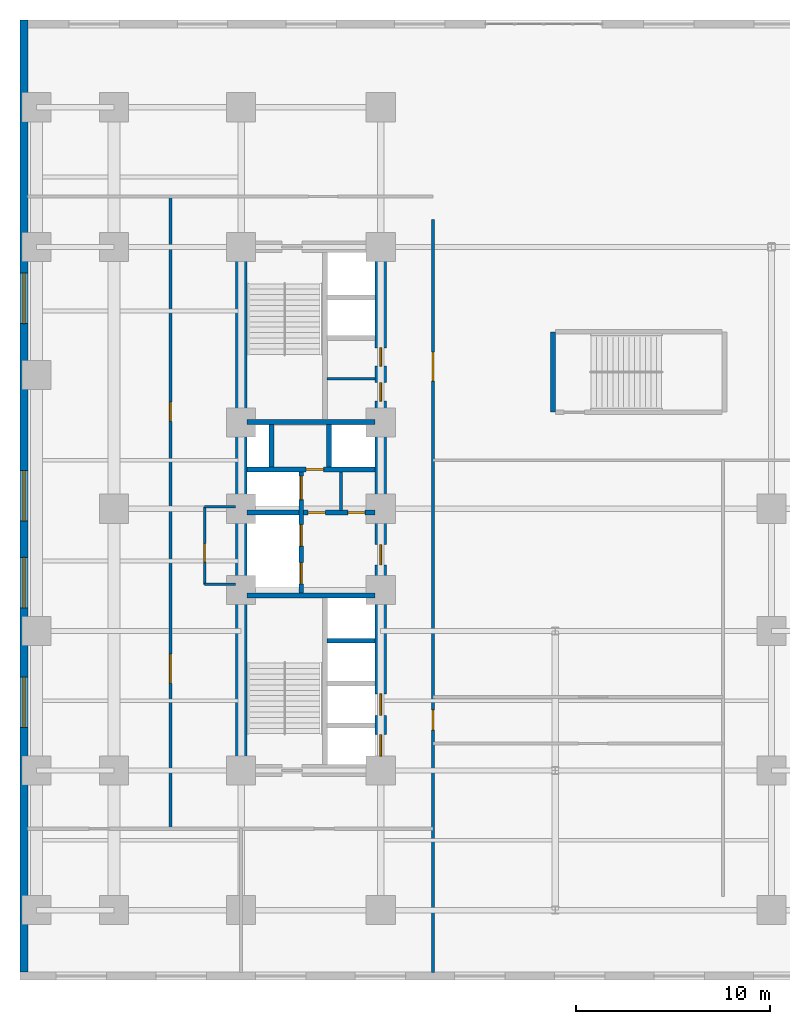
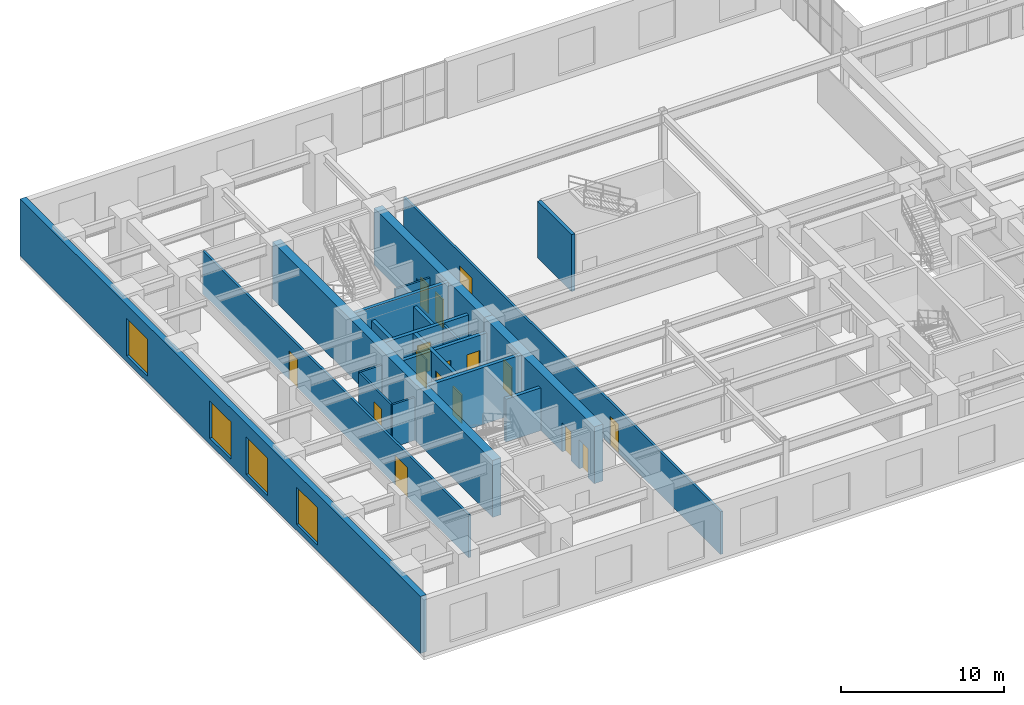
# One storey, part 9 of 15: 20 walls, 16 doors, 4 windows, 20 openings.
"""IFC4 building model written with IfcOpenShell, lengths in metres."""

from ifc_helpers import new_model, entity, si_unit, converted_unit, direction, frame, origin_with_axes, origin_2d_with_axis, place, context, subcontext, project, spatial, polyline, rectangle, outline, extrude, material, layer, layer_set, type_object, element, fill, save


model = new_model("IFC4")

# Units and contexts
model_context = context("Model", 3, precision=1e-05, world=origin_with_axes(), true_north=direction((0.0, 1.0)))
body_context = subcontext(model_context, "Body", "Model", "MODEL_VIEW")
ifc_project = project(units=[si_unit("LENGTHUNIT", "METRE"), si_unit("AREAUNIT", "SQUARE_METRE"), si_unit("VOLUMEUNIT", "CUBIC_METRE"), converted_unit("PLANEANGLEUNIT", "DEGREE", entity("IfcPlaneAngleMeasure", 0.017453292519943295), si_unit("PLANEANGLEUNIT", "RADIAN"), dimensions=[0, 0, 0, 0, 0, 0, 0]), si_unit("MASSUNIT", "GRAM", prefix="KILO"), si_unit("THERMODYNAMICTEMPERATUREUNIT", "KELVIN")], contexts=[model_context])

# Site, building, storey
site_placement = place(None, origin_with_axes())
site = spatial("IfcSite", under=ifc_project, at=site_placement, CompositionType="ELEMENT")
building_placement = place(site_placement, origin_with_axes())
building = spatial("IfcBuilding", under=site, at=building_placement, Name="Varnlund Millrace Tower", CompositionType="ELEMENT")
storey_placement = place(building_placement, frame((0.0, 0.0, 10.8), z_axis=(0.0, 0.0, 1.0), x_axis=(1.0, 0.0, 0.0)))
storey = spatial("IfcBuildingStorey", under=building, at=storey_placement, Name="L02", CompositionType="ELEMENT", Elevation=10.8)

# Wall
ifc_material_1 = material(Name="Concrete C80/95", Category="concrete")
ifc_layer_1 = layer(ifc_material_1, 0.6, Name="Concrete C80/95")
ifc_layer_set_1 = layer_set([ifc_layer_1], Name="Concrete C80/95")
wall_type_1 = type_object("IfcWallType", Name="Type-CoreWall-Shear-600-C80", PredefinedType="SHEAR", material=ifc_layer_set_1)
wall_1_placement = place(storey_placement, frame((11.4, 10.8, 0.0), z_axis=(0.0, 0.0, 1.0), x_axis=(0.0, 1.0, 0.0)))
element("IfcWall", 1, at=wall_1_placement, inside=storey, type_object=wall_type_1, Name="Type-CoreWall-Shear-600-C80", PredefinedType="SHEAR", context=body_context, shape_type="SweptSolid", body=[
    extrude(outline(polyline([(0.0, -0.3), (27.0, -0.3), (27.0, 0.3), (0.0, 0.3), (0.0, -0.3)])), origin_with_axes(), (0.0, 0.0, 1.0), 4.26),
])

# Wall, openings, doors
wall_2_placement = place(storey_placement, frame((18.6, 10.8, 0.0), z_axis=(0.0, 0.0, 1.0), x_axis=(0.0, 1.0, 0.0)))
wall_2 = element("IfcWall", 2, at=wall_2_placement, inside=storey, type_object=wall_type_1, Name="Type-CoreWall-Shear-600-C80", PredefinedType="SHEAR", context=body_context, shape_type="SweptSolid", body=[
    extrude(outline(polyline([(0.0, -0.3), (13.5, -0.3), (13.5, 0.3), (0.0, 0.3), (0.0, -0.3)])), origin_with_axes(), (0.0, 0.0, 1.0), 4.26),
])
opening_1_placement = place(wall_2_placement, frame((1.3, 0.0, 0.0), z_axis=(0.0, 0.0, 1.0), x_axis=(1.0, 0.0, 0.0)))
opening_1 = element("IfcOpeningElement", 3, at=opening_1_placement, cuts=wall_2, Name="Opening L02:LD-ELV-L1", PredefinedType="OPENING", context=body_context, shape_type="SweptSolid", body=[
    extrude(rectangle(XDim=1.1, YDim=0.62, at=origin_2d_with_axis()), origin_with_axes(), (0.0, 0.0, 1.0), 2.15),
])
opening_2_placement = place(wall_2_placement, frame((3.4, 0.0, 0.0), z_axis=(0.0, 0.0, 1.0), x_axis=(1.0, 0.0, 0.0)))
opening_2 = element("IfcOpeningElement", 4, at=opening_2_placement, cuts=wall_2, Name="Opening L02:LD-ELV-L2", PredefinedType="OPENING", context=body_context, shape_type="SweptSolid", body=[
    extrude(rectangle(XDim=1.1, YDim=0.62, at=origin_2d_with_axis()), origin_with_axes(), (0.0, 0.0, 1.0), 2.15),
])
opening_3_placement = place(wall_2_placement, frame((11.125, 0.0, 0.0), z_axis=(0.0, 0.0, 1.0), x_axis=(1.0, 0.0, 0.0)))
opening_3 = element("IfcOpeningElement", 5, at=opening_3_placement, cuts=wall_2, Name="Opening L02:DR-FFLOB-A", PredefinedType="OPENING", context=body_context, shape_type="SweptSolid", body=[
    extrude(rectangle(XDim=1.05, YDim=0.62, at=origin_2d_with_axis()), origin_with_axes(), (0.0, 0.0, 1.0), 2.15),
])
ifc_material_2 = material(Name="Smoke-barrier hollow steel fire door", Category="steel")
door_type_1 = type_object("IfcDoorType", Name="Type-FireDoor-Lobby-1050X2150", OperationType="NOTDEFINED", PredefinedType="DOOR", material=ifc_material_2)
door_1_placement = place(wall_2_placement, frame((11.125, 0.0, 0.0), z_axis=(0.0, 0.0, 1.0), x_axis=(1.0, 0.0, 0.0)))
door_1 = element("IfcDoor", 6, at=door_1_placement, inside=storey, type_object=door_type_1, Name="Type-FireDoor-Lobby-1050X2150", OperationType="SINGLE_SWING_LEFT", OverallHeight=2.15, OverallWidth=1.05, PredefinedType="DOOR", context=body_context, shape_type="SweptSolid", body=[
    extrude(rectangle(XDim=1.05, YDim=0.09, at=origin_2d_with_axis()), origin_with_axes(), (0.0, 0.0, 1.0), 2.15),
])
fill(opening_3, door_1)
ifc_material_3 = material(Name="Stainless and architectural bronze sliding landing door")
door_type_2 = type_object("IfcDoorType", Name="Type-LiftLandingDoor-1100X2150", OperationType="NOTDEFINED", PredefinedType="DOOR", material=ifc_material_3)
door_2_placement = place(wall_2_placement, frame((1.3, 0.0, 0.0), z_axis=(0.0, 0.0, 1.0), x_axis=(1.0, 0.0, 0.0)))
door_2 = element("IfcDoor", 7, at=door_2_placement, inside=storey, type_object=door_type_2, Name="Type-LiftLandingDoor-1100X2150", OperationType="SLIDING_TO_LEFT", OverallHeight=2.15, OverallWidth=1.1, PredefinedType="DOOR", context=body_context, shape_type="SweptSolid", body=[
    extrude(rectangle(XDim=1.1, YDim=0.09, at=origin_2d_with_axis()), origin_with_axes(), (0.0, 0.0, 1.0), 2.15),
])
fill(opening_1, door_2)
door_3_placement = place(wall_2_placement, frame((3.4, 0.0, 0.0), z_axis=(0.0, 0.0, 1.0), x_axis=(1.0, 0.0, 0.0)))
door_3 = element("IfcDoor", 8, at=door_3_placement, inside=storey, type_object=door_type_2, Name="Type-LiftLandingDoor-1100X2150", OperationType="SLIDING_TO_RIGHT", OverallHeight=2.15, OverallWidth=1.1, PredefinedType="DOOR", context=body_context, shape_type="SweptSolid", body=[
    extrude(rectangle(XDim=1.1, YDim=0.09, at=origin_2d_with_axis()), origin_with_axes(), (0.0, 0.0, 1.0), 2.15),
])
fill(opening_2, door_3)

wall_3_placement = place(storey_placement, frame((18.6, 24.3, 0.0), z_axis=(0.0, 0.0, 1.0), x_axis=(0.0, 1.0, 0.0)))
wall_3 = element("IfcWall", 9, at=wall_3_placement, inside=storey, type_object=wall_type_1, Name="Type-CoreWall-Shear-600-C80", PredefinedType="SHEAR", context=body_context, shape_type="SweptSolid", body=[
    extrude(outline(polyline([(0.0, -0.3), (13.5, -0.3), (13.5, 0.3), (0.0, 0.3), (0.0, -0.3)])), origin_with_axes(), (0.0, 0.0, 1.0), 4.26),
])
opening_4_placement = place(wall_3_placement, frame((6.025, 0.0, 0.0), z_axis=(0.0, 0.0, 1.0), x_axis=(1.0, 0.0, 0.0)))
opening_4 = element("IfcOpeningElement", 10, at=opening_4_placement, cuts=wall_3, Name="Opening L02:DR-CA-WC1", PredefinedType="OPENING", context=body_context, shape_type="SweptSolid", body=[
    extrude(rectangle(XDim=0.95, YDim=0.62, at=origin_2d_with_axis()), origin_with_axes(), (0.0, 0.0, 1.0), 2.15),
])
opening_5_placement = place(wall_3_placement, frame((7.825, 0.0, 0.0), z_axis=(0.0, 0.0, 1.0), x_axis=(1.0, 0.0, 0.0)))
opening_5 = element("IfcOpeningElement", 11, at=opening_5_placement, cuts=wall_3, Name="Opening L02:DR-CA-WC2", PredefinedType="OPENING", context=body_context, shape_type="SweptSolid", body=[
    extrude(rectangle(XDim=0.95, YDim=0.62, at=origin_2d_with_axis()), origin_with_axes(), (0.0, 0.0, 1.0), 2.15),
])
ifc_material_4 = material(Name="Fire-rated hollow steel core service door", Category="steel")
door_type_3 = type_object("IfcDoorType", Name="Type-FireDoor-Service-950X2150", OperationType="NOTDEFINED", PredefinedType="DOOR", material=ifc_material_4)
door_4_placement = place(wall_3_placement, frame((6.025, 0.0, 0.0), z_axis=(0.0, 0.0, 1.0), x_axis=(1.0, 0.0, 0.0)))
door_4 = element("IfcDoor", 12, at=door_4_placement, inside=storey, type_object=door_type_3, Name="Type-FireDoor-Service-950X2150", OperationType="SINGLE_SWING_RIGHT", OverallHeight=2.15, OverallWidth=0.95, PredefinedType="DOOR", context=body_context, shape_type="SweptSolid", body=[
    extrude(rectangle(XDim=0.95, YDim=0.09, at=origin_2d_with_axis()), origin_with_axes(), (0.0, 0.0, 1.0), 2.15),
])
fill(opening_4, door_4)
door_5_placement = place(wall_3_placement, frame((7.825, 0.0, 0.0), z_axis=(0.0, 0.0, 1.0), x_axis=(1.0, 0.0, 0.0)))
door_5 = element("IfcDoor", 13, at=door_5_placement, inside=storey, type_object=door_type_3, Name="Type-FireDoor-Service-950X2150", OperationType="SINGLE_SWING_RIGHT", OverallHeight=2.15, OverallWidth=0.95, PredefinedType="DOOR", context=body_context, shape_type="SweptSolid", body=[
    extrude(rectangle(XDim=0.95, YDim=0.09, at=origin_2d_with_axis()), origin_with_axes(), (0.0, 0.0, 1.0), 2.15),
])
fill(opening_5, door_5)

# Wall, openings, windows
ifc_material_5 = material(Name="Precast concrete C50/60", Category="concrete")
ifc_layer_2 = layer(ifc_material_5, 0.42, Name="Precast concrete C50/60")
ifc_layer_set_2 = layer_set([ifc_layer_2], Name="Precast concrete C50/60")
wall_type_2 = type_object("IfcWallType", Name="Type-ExtWall-Precast-Pier-420", PredefinedType="SOLIDWALL", material=ifc_layer_set_2)
wall_4_placement = place(storey_placement, frame((0.21, 0.42, 0.0), z_axis=(0.0, 0.0, 1.0), x_axis=(0.0, 1.0, 0.0)))
wall_4 = element("IfcWall", 14, at=wall_4_placement, inside=storey, type_object=wall_type_2, Name="Type-ExtWall-Precast-Pier-420", PredefinedType="SOLIDWALL", context=body_context, shape_type="SweptSolid", body=[
    extrude(outline(polyline([(0.0, -0.21), (49.08, -0.21), (49.08, 0.21), (0.0, 0.21), (0.0, -0.21)])), origin_with_axes(), (0.0, 0.0, 1.0), 4.26),
])
opening_6_placement = place(wall_4_placement, frame((13.9, 0.0, 0.45), z_axis=(0.0, 0.0, 1.0), x_axis=(1.0, 0.0, 0.0)))
opening_6 = element("IfcOpeningElement", 15, at=opening_6_placement, cuts=wall_4, Name="Opening L02:WN-14", PredefinedType="OPENING", context=body_context, shape_type="SweptSolid", body=[
    extrude(rectangle(XDim=2.6, YDim=0.44, at=origin_2d_with_axis()), origin_with_axes(), (0.0, 0.0, 1.0), 2.8),
])
opening_7_placement = place(wall_4_placement, frame((20.07, 0.0, 0.45), z_axis=(0.0, 0.0, 1.0), x_axis=(1.0, 0.0, 0.0)))
opening_7 = element("IfcOpeningElement", 16, at=opening_7_placement, cuts=wall_4, Name="Opening L02:WN-15", PredefinedType="OPENING", context=body_context, shape_type="SweptSolid", body=[
    extrude(rectangle(XDim=2.6, YDim=0.44, at=origin_2d_with_axis()), origin_with_axes(), (0.0, 0.0, 1.0), 2.8),
])
opening_8_placement = place(wall_4_placement, frame((24.54, 0.0, 0.45), z_axis=(0.0, 0.0, 1.0), x_axis=(1.0, 0.0, 0.0)))
opening_8 = element("IfcOpeningElement", 17, at=opening_8_placement, cuts=wall_4, Name="Opening L02:WN-16", PredefinedType="OPENING", context=body_context, shape_type="SweptSolid", body=[
    extrude(rectangle(XDim=2.6, YDim=0.44, at=origin_2d_with_axis()), origin_with_axes(), (0.0, 0.0, 1.0), 2.8),
])
opening_9_placement = place(wall_4_placement, frame((34.73, 0.0, 0.45), z_axis=(0.0, 0.0, 1.0), x_axis=(1.0, 0.0, 0.0)))
opening_9 = element("IfcOpeningElement", 18, at=opening_9_placement, cuts=wall_4, Name="Opening L02:WN-17", PredefinedType="OPENING", context=body_context, shape_type="SweptSolid", body=[
    extrude(rectangle(XDim=2.6, YDim=0.44, at=origin_2d_with_axis()), origin_with_axes(), (0.0, 0.0, 1.0), 2.8),
])
ifc_material_6 = material(Name="Argon low-e triple glazing in thermally broken bronze frame", Category="glass")
window_type = type_object("IfcWindowType", Name="Type-Window-Podium-2600X2800", PartitioningType="SINGLE_PANEL", PredefinedType="WINDOW", material=ifc_material_6)
window_1_placement = place(wall_4_placement, frame((13.9, 0.0, 0.45), z_axis=(0.0, 0.0, 1.0), x_axis=(1.0, 0.0, 0.0)))
window_1 = element("IfcWindow", 19, at=window_1_placement, inside=storey, type_object=window_type, Name="Type-Window-Podium-2600X2800", OverallHeight=2.8, OverallWidth=2.6, PredefinedType="WINDOW", context=body_context, shape_type="SweptSolid", body=[
    extrude(rectangle(XDim=2.6, YDim=0.09, at=origin_2d_with_axis()), origin_with_axes(), (0.0, 0.0, 1.0), 2.8),
])
fill(opening_6, window_1)
window_2_placement = place(wall_4_placement, frame((20.07, 0.0, 0.45), z_axis=(0.0, 0.0, 1.0), x_axis=(1.0, 0.0, 0.0)))
window_2 = element("IfcWindow", 20, at=window_2_placement, inside=storey, type_object=window_type, Name="Type-Window-Podium-2600X2800", OverallHeight=2.8, OverallWidth=2.6, PredefinedType="WINDOW", context=body_context, shape_type="SweptSolid", body=[
    extrude(rectangle(XDim=2.6, YDim=0.09, at=origin_2d_with_axis()), origin_with_axes(), (0.0, 0.0, 1.0), 2.8),
])
fill(opening_7, window_2)
window_3_placement = place(wall_4_placement, frame((24.54, 0.0, 0.45), z_axis=(0.0, 0.0, 1.0), x_axis=(1.0, 0.0, 0.0)))
window_3 = element("IfcWindow", 21, at=window_3_placement, inside=storey, type_object=window_type, Name="Type-Window-Podium-2600X2800", OverallHeight=2.8, OverallWidth=2.6, PredefinedType="WINDOW", context=body_context, shape_type="SweptSolid", body=[
    extrude(rectangle(XDim=2.6, YDim=0.09, at=origin_2d_with_axis()), origin_with_axes(), (0.0, 0.0, 1.0), 2.8),
])
fill(opening_8, window_3)
window_4_placement = place(wall_4_placement, frame((34.73, 0.0, 0.45), z_axis=(0.0, 0.0, 1.0), x_axis=(1.0, 0.0, 0.0)))
window_4 = element("IfcWindow", 22, at=window_4_placement, inside=storey, type_object=window_type, Name="Type-Window-Podium-2600X2800", OverallHeight=2.8, OverallWidth=2.6, PredefinedType="WINDOW", context=body_context, shape_type="SweptSolid", body=[
    extrude(rectangle(XDim=2.6, YDim=0.09, at=origin_2d_with_axis()), origin_with_axes(), (0.0, 0.0, 1.0), 2.8),
])
fill(opening_9, window_4)

# Wall
ifc_material_7 = material(Name="Fire-rated gypsum board on cold-formed steel framing", Category="steel")
ifc_layer_3 = layer(ifc_material_7, 0.16, Name="Fire-rated gypsum board on cold-formed steel framing")
ifc_layer_set_3 = layer_set([ifc_layer_3], Name="Fire-rated gypsum board on cold-formed steel framing")
wall_type_3 = type_object("IfcWallType", Name="Type-Partition-Corridor-160", PredefinedType="PARTITIONING", material=ifc_layer_set_3)
wall_5_placement = place(storey_placement, frame((16.55, 24.22, 0.0), z_axis=(0.0, 0.0, 1.0), x_axis=(0.0, 1.0, 0.0)))
element("IfcWall", 23, at=wall_5_placement, inside=storey, type_object=wall_type_3, Name="Type-Partition-Corridor-160", PredefinedType="PARTITIONING", context=body_context, shape_type="SweptSolid", body=[
    extrude(outline(polyline([(0.0, -0.08), (1.98, -0.08), (1.98, 0.08), (0.0, 0.08), (0.0, -0.08)])), origin_with_axes(), (0.0, 0.0, 1.0), 3.2),
])

# Wall, openings, doors
wall_6_placement = place(storey_placement, frame((7.75, 7.8, 0.0), z_axis=(0.0, 0.0, 1.0), x_axis=(0.0, 1.0, 0.0)))
wall_6 = element("IfcWall", 24, at=wall_6_placement, inside=storey, type_object=wall_type_3, Name="Type-Partition-Corridor-160", PredefinedType="PARTITIONING", context=body_context, shape_type="SweptSolid", body=[
    extrude(outline(polyline([(0.0, -0.08), (32.6, -0.08), (32.6, 0.08), (0.0, 0.08), (0.0, -0.08)])), origin_with_axes(), (0.0, 0.0, 1.0), 3.2),
])
opening_10_placement = place(wall_6_placement, frame((8.25, 0.0, 0.0), z_axis=(0.0, 0.0, 1.0), x_axis=(1.0, 0.0, 0.0)))
opening_10 = element("IfcOpeningElement", 25, at=opening_10_placement, cuts=wall_6, Name="Opening L02:DR-POD-W1", PredefinedType="OPENING", context=body_context, shape_type="SweptSolid", body=[
    extrude(rectangle(XDim=1.5, YDim=0.18, at=origin_2d_with_axis()), origin_with_axes(), (0.0, 0.0, 1.0), 2.2),
])
opening_11_placement = place(wall_6_placement, frame((21.5, 0.0, 0.0), z_axis=(0.0, 0.0, 1.0), x_axis=(1.0, 0.0, 0.0)))
opening_11 = element("IfcOpeningElement", 26, at=opening_11_placement, cuts=wall_6, Name="Opening L02:DR-POD-W2", PredefinedType="OPENING", context=body_context, shape_type="SweptSolid", body=[
    extrude(rectangle(XDim=1.0, YDim=0.18, at=origin_2d_with_axis()), origin_with_axes(), (0.0, 0.0, 1.0), 2.15),
])
ifc_material_8 = material(Name="Solid-core white oak and bronze frame door")
door_type_4 = type_object("IfcDoorType", Name="Type-IntDoor-Office-1000X2150", OperationType="NOTDEFINED", PredefinedType="DOOR", material=ifc_material_8)
door_6_placement = place(wall_6_placement, frame((21.5, 0.0, 0.0), z_axis=(0.0, 0.0, 1.0), x_axis=(1.0, 0.0, 0.0)))
door_6 = element("IfcDoor", 27, at=door_6_placement, inside=storey, type_object=door_type_4, Name="Type-IntDoor-Office-1000X2150", OperationType="SINGLE_SWING_LEFT", OverallHeight=2.15, OverallWidth=1.0, PredefinedType="DOOR", context=body_context, shape_type="SweptSolid", body=[
    extrude(rectangle(XDim=1.0, YDim=0.09, at=origin_2d_with_axis()), origin_with_axes(), (0.0, 0.0, 1.0), 2.15),
])
fill(opening_11, door_6)
ifc_material_9 = material(Name="Architectural bronze and acoustic glass double door", Category="glass")
door_type_5 = type_object("IfcDoorType", Name="Type-IntDoor-SuitePair-1500X2200", OperationType="NOTDEFINED", PredefinedType="DOOR", material=ifc_material_9)
door_7_placement = place(wall_6_placement, frame((8.25, 0.0, 0.0), z_axis=(0.0, 0.0, 1.0), x_axis=(1.0, 0.0, 0.0)))
door_7 = element("IfcDoor", 28, at=door_7_placement, inside=storey, type_object=door_type_5, Name="Type-IntDoor-SuitePair-1500X2200", OperationType="DOUBLE_DOOR_SINGLE_SWING", OverallHeight=2.2, OverallWidth=1.5, PredefinedType="DOOR", context=body_context, shape_type="SweptSolid", body=[
    extrude(rectangle(XDim=1.5, YDim=0.09, at=origin_2d_with_axis()), origin_with_axes(), (0.0, 0.0, 1.0), 2.2),
])
fill(opening_10, door_7)

wall_7_placement = place(storey_placement, frame((21.3, 0.38, 0.0), z_axis=(0.0, 0.0, 1.0), x_axis=(0.0, 1.0, 0.0)))
wall_7 = element("IfcWall", 29, at=wall_7_placement, inside=storey, type_object=wall_type_3, Name="Type-Partition-Corridor-160", PredefinedType="PARTITIONING", context=body_context, shape_type="SweptSolid", body=[
    extrude(outline(polyline([(0.0, -0.08), (38.84, -0.08), (38.84, 0.08), (0.0, 0.08), (0.0, -0.08)])), origin_with_axes(), (0.0, 0.0, 1.0), 3.2),
])
opening_12_placement = place(wall_7_placement, frame((13.025, 0.0, 0.0), z_axis=(0.0, 0.0, 1.0), x_axis=(1.0, 0.0, 0.0)))
opening_12 = element("IfcOpeningElement", 30, at=opening_12_placement, cuts=wall_7, Name="Opening L02:DR-POD-BC", PredefinedType="OPENING", context=body_context, shape_type="SweptSolid", body=[
    extrude(rectangle(XDim=1.05, YDim=0.18, at=origin_2d_with_axis()), origin_with_axes(), (0.0, 0.0, 1.0), 2.15),
])
opening_13_placement = place(wall_7_placement, frame((31.25, 0.0, 0.0), z_axis=(0.0, 0.0, 1.0), x_axis=(1.0, 0.0, 0.0)))
opening_13 = element("IfcOpeningElement", 31, at=opening_13_placement, cuts=wall_7, Name="Opening L02:DR-POD-E2", PredefinedType="OPENING", context=body_context, shape_type="SweptSolid", body=[
    extrude(rectangle(XDim=1.5, YDim=0.18, at=origin_2d_with_axis()), origin_with_axes(), (0.0, 0.0, 1.0), 2.2),
])
door_8_placement = place(wall_7_placement, frame((13.025, 0.0, 0.0), z_axis=(0.0, 0.0, 1.0), x_axis=(1.0, 0.0, 0.0)))
door_8 = element("IfcDoor", 32, at=door_8_placement, inside=storey, type_object=door_type_1, Name="Type-FireDoor-Lobby-1050X2150", OperationType="SINGLE_SWING_LEFT", OverallHeight=2.15, OverallWidth=1.05, PredefinedType="DOOR", context=body_context, shape_type="SweptSolid", body=[
    extrude(rectangle(XDim=1.05, YDim=0.09, at=origin_2d_with_axis()), origin_with_axes(), (0.0, 0.0, 1.0), 2.15),
])
fill(opening_12, door_8)
door_9_placement = place(wall_7_placement, frame((31.25, 0.0, 0.0), z_axis=(0.0, 0.0, 1.0), x_axis=(1.0, 0.0, 0.0)))
door_9 = element("IfcDoor", 33, at=door_9_placement, inside=storey, type_object=door_type_5, Name="Type-IntDoor-SuitePair-1500X2200", OperationType="DOUBLE_DOOR_SINGLE_SWING", OverallHeight=2.2, OverallWidth=1.5, PredefinedType="DOOR", context=body_context, shape_type="SweptSolid", body=[
    extrude(rectangle(XDim=1.5, YDim=0.09, at=origin_2d_with_axis()), origin_with_axes(), (0.0, 0.0, 1.0), 2.2),
])
fill(opening_13, door_9)

# Wall
ifc_material_10 = material(Name="Moisture-resistant gypsum restroom partition", Category="gypsum")
ifc_layer_4 = layer(ifc_material_10, 0.14, Name="Moisture-resistant gypsum restroom partition")
ifc_layer_set_4 = layer_set([ifc_layer_4], Name="Moisture-resistant gypsum restroom partition")
wall_type_4 = type_object("IfcWallType", Name="Type-Partition-Wet-140", PredefinedType="PARTITIONING", material=ifc_layer_set_4)
wall_8_placement = place(storey_placement, frame((15.84, 31.0, 0.0), z_axis=(0.0, 0.0, 1.0), x_axis=(1.0, 0.0, 0.0)))
element("IfcWall", 34, at=wall_8_placement, inside=storey, type_object=wall_type_4, Name="Type-Partition-Wet-140", PredefinedType="PARTITIONING", context=body_context, shape_type="SweptSolid", body=[
    extrude(outline(polyline([(0.0, -0.07), (2.46, -0.07), (2.46, 0.07), (0.0, 0.07), (0.0, -0.07)])), origin_with_axes(), (0.0, 0.0, 1.0), 3.2),
])

# Wall, opening, door
wall_9_placement = place(storey_placement, frame((9.52, 20.4, 0.0), z_axis=(0.0, 0.0, 1.0), x_axis=(0.0, 1.0, 0.0)))
wall_9 = element("IfcWall", 35, at=wall_9_placement, inside=storey, type_object=wall_type_4, Name="Type-Partition-Wet-140", PredefinedType="PARTITIONING", context=body_context, shape_type="SweptSolid", body=[
    extrude(outline(polyline([(0.0, -0.07), (4.0, -0.07), (4.0, 0.07), (0.0, 0.07), (0.0, -0.07)])), origin_with_axes(), (0.0, 0.0, 1.0), 3.2),
])
opening_14_placement = place(wall_9_placement, frame((1.625, 0.0, 0.0), z_axis=(0.0, 0.0, 1.0), x_axis=(1.0, 0.0, 0.0)))
opening_14 = element("IfcOpeningElement", 36, at=opening_14_placement, cuts=wall_9, Name="Opening L02:DR-CA-WCW", PredefinedType="OPENING", context=body_context, shape_type="SweptSolid", body=[
    extrude(rectangle(XDim=0.95, YDim=0.16, at=origin_2d_with_axis()), origin_with_axes(), (0.0, 0.0, 1.0), 2.15),
])
ifc_material_11 = material(Name="Solid-core acoustic office door")
door_type_6 = type_object("IfcDoorType", Name="Type-IntDoor-Tenant-950X2150", OperationType="NOTDEFINED", PredefinedType="DOOR", material=ifc_material_11)
door_10_placement = place(wall_9_placement, frame((1.625, 0.0, 0.0), z_axis=(0.0, 0.0, 1.0), x_axis=(1.0, 0.0, 0.0)))
door_10 = element("IfcDoor", 37, at=door_10_placement, inside=storey, type_object=door_type_6, Name="Type-IntDoor-Tenant-950X2150", OperationType="SINGLE_SWING_LEFT", OverallHeight=2.15, OverallWidth=0.95, PredefinedType="DOOR", context=body_context, shape_type="SweptSolid", body=[
    extrude(rectangle(XDim=0.95, YDim=0.084, at=origin_2d_with_axis()), origin_with_axes(), (0.0, 0.0, 1.0), 2.15),
])
fill(opening_14, door_10)

# Walls
for number, where, z_axis, x_axis, name in (
    (38, (9.52, 20.4, 0.0), (0.0, 0.0, 1.0), (1.0, 0.0, 0.0), "Type-Partition-Wet-140"),
    (39, (9.52, 24.4, 0.0), (0.0, 0.0, 1.0), (1.0, 0.0, 0.0), "Type-Partition-Wet-140"),
):
    element("IfcWall", number, at=place(storey_placement, frame(where, z_axis=z_axis, x_axis=x_axis)), inside=storey, type_object=wall_type_4, Name=name, PredefinedType="PARTITIONING", context=body_context, shape_type="SweptSolid", body=[
        extrude(outline(polyline([(0.0, -0.07), (1.58, -0.07), (1.58, 0.07), (0.0, 0.07), (0.0, -0.07)])), origin_with_axes(), (0.0, 0.0, 1.0), 3.2),
    ])

# Wall, openings, doors
ifc_material_12 = material(Name="Concrete C60/75", Category="concrete")
ifc_layer_5 = layer(ifc_material_12, 0.25, Name="Concrete C60/75")
ifc_layer_set_5 = layer_set([ifc_layer_5], Name="Concrete C60/75")
wall_type_5 = type_object("IfcWallType", Name="Type-ShaftWall-Fire-250", PredefinedType="SOLIDWALL", material=ifc_layer_set_5)
wall_10_placement = place(storey_placement, frame((14.5, 19.95, 0.0), z_axis=(0.0, 0.0, 1.0), x_axis=(0.0, 1.0, 0.0)))
wall_10 = element("IfcWall", 40, at=wall_10_placement, inside=storey, type_object=wall_type_5, Name="Type-ShaftWall-Fire-250", PredefinedType="SOLIDWALL", context=body_context, shape_type="SweptSolid", body=[
    extrude(outline(polyline([(0.0, -0.125), (6.25, -0.125), (6.25, 0.125), (0.0, 0.125), (0.0, -0.125)])), origin_with_axes(), (0.0, 0.0, 1.0), 3.3),
])
opening_15_placement = place(wall_10_placement, frame((1.025, 0.0, 0.0), z_axis=(0.0, 0.0, 1.0), x_axis=(1.0, 0.0, 0.0)))
opening_15 = element("IfcOpeningElement", 41, at=opening_15_placement, cuts=wall_10, Name="Opening L02:LD-FSAE1", PredefinedType="OPENING", context=body_context, shape_type="SweptSolid", body=[
    extrude(rectangle(XDim=1.1, YDim=0.27, at=origin_2d_with_axis()), origin_with_axes(), (0.0, 0.0, 1.0), 2.15),
])
opening_16_placement = place(wall_10_placement, frame((2.975, 0.0, 0.0), z_axis=(0.0, 0.0, 1.0), x_axis=(1.0, 0.0, 0.0)))
opening_16 = element("IfcOpeningElement", 42, at=opening_16_placement, cuts=wall_10, Name="Opening L02:LD-FSAE2", PredefinedType="OPENING", context=body_context, shape_type="SweptSolid", body=[
    extrude(rectangle(XDim=1.1, YDim=0.27, at=origin_2d_with_axis()), origin_with_axes(), (0.0, 0.0, 1.0), 2.15),
])
opening_17_placement = place(wall_10_placement, frame((5.425, 0.0, 0.0), z_axis=(0.0, 0.0, 1.0), x_axis=(1.0, 0.0, 0.0)))
opening_17 = element("IfcOpeningElement", 43, at=opening_17_placement, cuts=wall_10, Name="Opening L02:LD-SRV1", PredefinedType="OPENING", context=body_context, shape_type="SweptSolid", body=[
    extrude(rectangle(XDim=1.2, YDim=0.27, at=origin_2d_with_axis()), origin_with_axes(), (0.0, 0.0, 1.0), 2.15),
])
door_11_placement = place(wall_10_placement, frame((1.025, 0.0, 0.0), z_axis=(0.0, 0.0, 1.0), x_axis=(1.0, 0.0, 0.0)))
door_11 = element("IfcDoor", 44, at=door_11_placement, inside=storey, type_object=door_type_2, Name="Type-LiftLandingDoor-1100X2150", OperationType="SLIDING_TO_LEFT", OverallHeight=2.15, OverallWidth=1.1, PredefinedType="DOOR", context=body_context, shape_type="SweptSolid", body=[
    extrude(rectangle(XDim=1.1, YDim=0.09, at=origin_2d_with_axis()), origin_with_axes(), (0.0, 0.0, 1.0), 2.15),
])
fill(opening_15, door_11)
door_12_placement = place(wall_10_placement, frame((2.975, 0.0, 0.0), z_axis=(0.0, 0.0, 1.0), x_axis=(1.0, 0.0, 0.0)))
door_12 = element("IfcDoor", 45, at=door_12_placement, inside=storey, type_object=door_type_2, Name="Type-LiftLandingDoor-1100X2150", OperationType="SLIDING_TO_RIGHT", OverallHeight=2.15, OverallWidth=1.1, PredefinedType="DOOR", context=body_context, shape_type="SweptSolid", body=[
    extrude(rectangle(XDim=1.1, YDim=0.09, at=origin_2d_with_axis()), origin_with_axes(), (0.0, 0.0, 1.0), 2.15),
])
fill(opening_16, door_12)
ifc_material_13 = material(Name="Heavy-duty freight sliding landing door")
door_type_7 = type_object("IfcDoorType", Name="Type-LiftLandingDoor-Service-1200X2150", OperationType="NOTDEFINED", PredefinedType="DOOR", material=ifc_material_13)
door_13_placement = place(wall_10_placement, frame((5.425, 0.0, 0.0), z_axis=(0.0, 0.0, 1.0), x_axis=(1.0, 0.0, 0.0)))
door_13 = element("IfcDoor", 46, at=door_13_placement, inside=storey, type_object=door_type_7, Name="Type-LiftLandingDoor-Service-1200X2150", OperationType="DOUBLE_DOOR_SLIDING", OverallHeight=2.15, OverallWidth=1.2, PredefinedType="DOOR", context=body_context, shape_type="SweptSolid", body=[
    extrude(rectangle(XDim=1.2, YDim=0.09, at=origin_2d_with_axis()), origin_with_axes(), (0.0, 0.0, 1.0), 2.15),
])
fill(opening_17, door_13)

wall_11_placement = place(storey_placement, frame((11.7, 24.1, 0.0), z_axis=(0.0, 0.0, 1.0), x_axis=(1.0, 0.0, 0.0)))
wall_11 = element("IfcWall", 47, at=wall_11_placement, inside=storey, type_object=wall_type_5, Name="Type-ShaftWall-Fire-250", PredefinedType="SOLIDWALL", context=body_context, shape_type="SweptSolid", body=[
    extrude(outline(polyline([(0.0, -0.125), (6.6, -0.125), (6.6, 0.125), (0.0, 0.125), (0.0, -0.125)])), origin_with_axes(), (0.0, 0.0, 1.0), 3.3),
])
opening_18_placement = place(wall_11_placement, frame((3.6, 0.0, 0.0), z_axis=(0.0, 0.0, 1.0), x_axis=(1.0, 0.0, 0.0)))
opening_18 = element("IfcOpeningElement", 48, at=opening_18_placement, cuts=wall_11, Name="Opening L02:DR-CA-SUB1", PredefinedType="OPENING", context=body_context, shape_type="SweptSolid", body=[
    extrude(rectangle(XDim=0.9, YDim=0.27, at=origin_2d_with_axis()), origin_with_axes(), (0.0, 0.0, 1.0), 2.15),
])
opening_19_placement = place(wall_11_placement, frame((5.65, 0.0, 0.0), z_axis=(0.0, 0.0, 1.0), x_axis=(1.0, 0.0, 0.0)))
opening_19 = element("IfcOpeningElement", 49, at=opening_19_placement, cuts=wall_11, Name="Opening L02:DR-CA-SUB2", PredefinedType="OPENING", context=body_context, shape_type="SweptSolid", body=[
    extrude(rectangle(XDim=0.9, YDim=0.27, at=origin_2d_with_axis()), origin_with_axes(), (0.0, 0.0, 1.0), 2.15),
])
ifc_material_14 = material(Name="Fire-rated hollow steel service closet door", Category="steel")
door_type_8 = type_object("IfcDoorType", Name="Type-FireDoor-Closet-900X2150", OperationType="NOTDEFINED", PredefinedType="DOOR", material=ifc_material_14)
door_14_placement = place(wall_11_placement, frame((3.6, 0.0, 0.0), z_axis=(0.0, 0.0, 1.0), x_axis=(1.0, 0.0, 0.0)))
door_14 = element("IfcDoor", 50, at=door_14_placement, inside=storey, type_object=door_type_8, Name="Type-FireDoor-Closet-900X2150", OperationType="SINGLE_SWING_LEFT", OverallHeight=2.15, OverallWidth=0.9, PredefinedType="DOOR", context=body_context, shape_type="SweptSolid", body=[
    extrude(rectangle(XDim=0.9, YDim=0.09, at=origin_2d_with_axis()), origin_with_axes(), (0.0, 0.0, 1.0), 2.15),
])
fill(opening_18, door_14)
door_15_placement = place(wall_11_placement, frame((5.65, 0.0, 0.0), z_axis=(0.0, 0.0, 1.0), x_axis=(1.0, 0.0, 0.0)))
door_15 = element("IfcDoor", 51, at=door_15_placement, inside=storey, type_object=door_type_8, Name="Type-FireDoor-Closet-900X2150", OperationType="SINGLE_SWING_LEFT", OverallHeight=2.15, OverallWidth=0.9, PredefinedType="DOOR", context=body_context, shape_type="SweptSolid", body=[
    extrude(rectangle(XDim=0.9, YDim=0.09, at=origin_2d_with_axis()), origin_with_axes(), (0.0, 0.0, 1.0), 2.15),
])
fill(opening_19, door_15)

# Wall, opening, door
wall_12_placement = place(storey_placement, frame((11.7, 26.325, 0.0), z_axis=(0.0, 0.0, 1.0), x_axis=(1.0, 0.0, 0.0)))
wall_12 = element("IfcWall", 52, at=wall_12_placement, inside=storey, type_object=wall_type_5, Name="Type-ShaftWall-Fire-250", PredefinedType="SOLIDWALL", context=body_context, shape_type="SweptSolid", body=[
    extrude(outline(polyline([(0.0, -0.125), (6.6, -0.125), (6.6, 0.125), (0.0, 0.125), (0.0, -0.125)])), origin_with_axes(), (0.0, 0.0, 1.0), 3.3),
])
opening_20_placement = place(wall_12_placement, frame((3.5, 0.0, 0.0), z_axis=(0.0, 0.0, 1.0), x_axis=(1.0, 0.0, 0.0)))
opening_20 = element("IfcOpeningElement", 53, at=opening_20_placement, cuts=wall_12, Name="Opening L02:DR-CA-ELC", PredefinedType="OPENING", context=body_context, shape_type="SweptSolid", body=[
    extrude(rectangle(XDim=0.9, YDim=0.27, at=origin_2d_with_axis()), origin_with_axes(), (0.0, 0.0, 1.0), 2.15),
])
door_16_placement = place(wall_12_placement, frame((3.5, 0.0, 0.0), z_axis=(0.0, 0.0, 1.0), x_axis=(1.0, 0.0, 0.0)))
door_16 = element("IfcDoor", 54, at=door_16_placement, inside=storey, type_object=door_type_8, Name="Type-FireDoor-Closet-900X2150", OperationType="SINGLE_SWING_LEFT", OverallHeight=2.15, OverallWidth=0.9, PredefinedType="DOOR", context=body_context, shape_type="SweptSolid", body=[
    extrude(rectangle(XDim=0.9, YDim=0.09, at=origin_2d_with_axis()), origin_with_axes(), (0.0, 0.0, 1.0), 2.15),
])
fill(opening_20, door_16)

# Walls
for number, where, z_axis, x_axis, name in (
    (55, (12.96, 26.45, 0.0), (0.0, 0.0, 1.0), (0.0, 1.0, 0.0), "Type-ShaftWall-Fire-250"),
    (56, (15.925, 26.45, 0.0), (0.0, 0.0, 1.0), (0.0, 1.0, 0.0), "Type-ShaftWall-Fire-250"),
):
    element("IfcWall", number, at=place(storey_placement, frame(where, z_axis=z_axis, x_axis=x_axis)), inside=storey, type_object=wall_type_5, Name=name, PredefinedType="SOLIDWALL", context=body_context, shape_type="SweptSolid", body=[
        extrude(outline(polyline([(0.0, -0.125), (2.2, -0.125), (2.2, 0.125), (0.0, 0.125), (0.0, -0.125)])), origin_with_axes(), (0.0, 0.0, 1.0), 3.3),
    ])
wall_13_placement = place(storey_placement, frame((15.84, 17.49, 0.0), z_axis=(0.0, 0.0, 1.0), x_axis=(1.0, 0.0, 0.0)))
element("IfcWall", 57, at=wall_13_placement, inside=storey, type_object=wall_type_5, Name="Type-ShaftWall-Fire-250", PredefinedType="SOLIDWALL", context=body_context, shape_type="SweptSolid", body=[
    extrude(outline(polyline([(0.0, -0.125), (2.46, -0.125), (2.46, 0.125), (0.0, 0.125), (0.0, -0.125)])), origin_with_axes(), (0.0, 0.0, 1.0), 3.2),
])
wall_type_6 = type_object("IfcWallType", Name="Type-StairWall-Shear-250", PredefinedType="SHEAR", material=ifc_layer_set_5)
for number, where, z_axis, x_axis, name in (
    (58, (11.7, 19.825, 0.0), (0.0, 0.0, 1.0), (1.0, 0.0, 0.0), "Type-StairWall-Shear-250"),
    (59, (11.7, 28.775, 0.0), (0.0, 0.0, 1.0), (1.0, 0.0, 0.0), "Type-StairWall-Shear-250"),
):
    element("IfcWall", number, at=place(storey_placement, frame(where, z_axis=z_axis, x_axis=x_axis)), inside=storey, type_object=wall_type_6, Name=name, PredefinedType="SHEAR", context=body_context, shape_type="SweptSolid", body=[
        extrude(outline(polyline([(0.0, -0.125), (6.6, -0.125), (6.6, 0.125), (0.0, 0.125), (0.0, -0.125)])), origin_with_axes(), (0.0, 0.0, 1.0), 4.26),
    ])
wall_14_placement = place(storey_placement, frame((27.475, 29.275, 0.0), z_axis=(0.0, 0.0, 1.0), x_axis=(0.0, 1.0, 0.0)))
element("IfcWall", 60, at=wall_14_placement, inside=storey, type_object=wall_type_6, Name="Type-StairWall-Shear-250", PredefinedType="SHEAR", context=body_context, shape_type="SweptSolid", body=[
    extrude(outline(polyline([(0.0, -0.125), (4.15, -0.125), (4.15, 0.125), (0.0, 0.125), (0.0, -0.125)])), origin_with_axes(), (0.0, 0.0, 1.0), 4.26),
])

save(model, "model.ifc")
